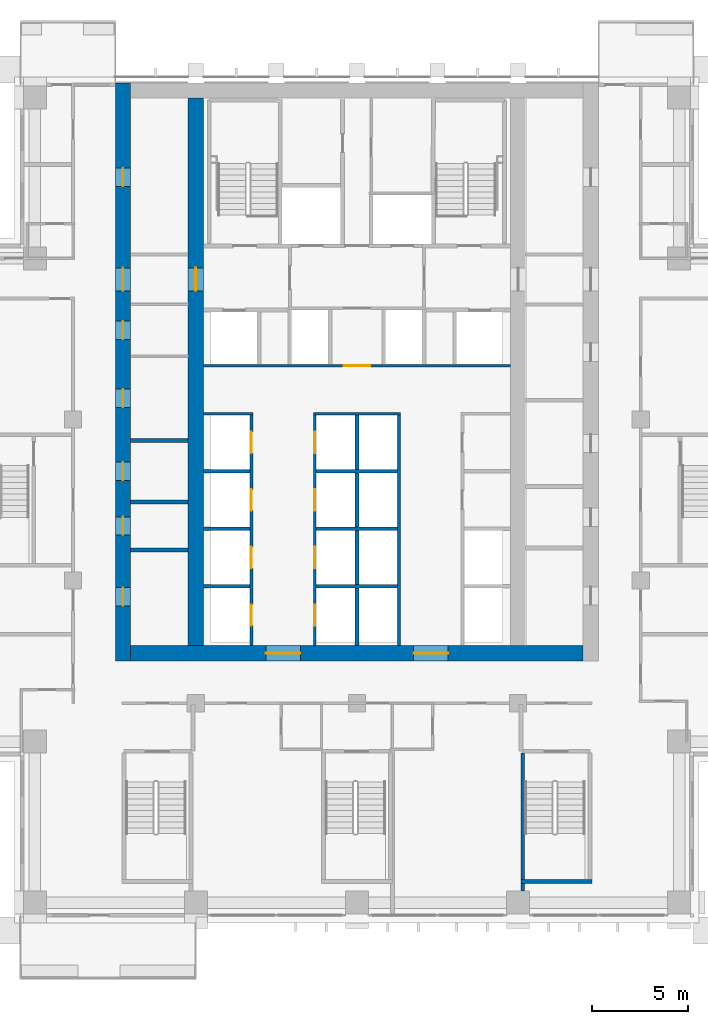
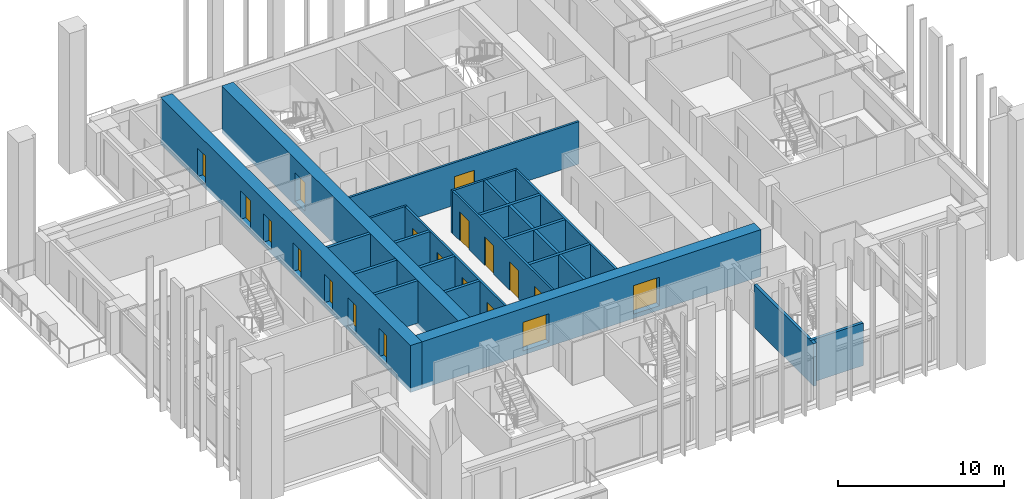
# One storey, part 8 of 18: 21 walls, 19 doors, 19 openings.
"""IFC4 building model written with IfcOpenShell, lengths in metres."""

import ifcopenshell
import ifcopenshell.guid

model = None  # the IFC model being written
_history = None  # IfcOwnerHistory: only IFC2X3 demands one
_inside = {}  # id of a spatial element -> (the spatial element, [elements in it])
_under = {}  # id of a project, library or spatial element -> (it, [spatial elements below it])
_declared = {}  # id of a project -> (the project, [libraries it declares])
_typed = {}  # id of a type object -> (the type object, [elements of that type])
_made_of = {}  # id of a material, layer set ... -> (it, [elements and type objects made of it])


def new_model(schema):
    """Start an empty IFC model of exactly this schema.

    Asked for "IFC4X3", IfcOpenShell would pick the latest addendum, in which some entities
    have other attributes; the version numbers below select the first issue.
    IFC2X3 requires an IfcOwnerHistory on every rooted entity: one is made here for all.
    """
    global model, _history
    if schema == "IFC4X3":
        model = ifcopenshell.file(schema_version=(4, 3, 0, 0))
    else:
        model = ifcopenshell.file(schema=schema)
    _inside.clear()
    _under.clear()
    _declared.clear()
    _typed.clear()
    _made_of.clear()
    _history = None
    if model.schema == "IFC2X3":
        org = make("IfcOrganization", Name="unknown")
        user = make(
            "IfcPersonAndOrganization",
            ThePerson=make("IfcPerson", FamilyName="unknown"),
            TheOrganization=org,
        )
        app = make(
            "IfcApplication",
            ApplicationDeveloper=org,
            Version="unknown",
            ApplicationFullName="unknown",
            ApplicationIdentifier="unknown",
        )
        _history = make(
            "IfcOwnerHistory",
            OwningUser=user,
            OwningApplication=app,
            ChangeAction="ADDED",
            CreationDate=0,
        )
    return model


def make(cls, **values):
    """One entity of the class cls with the attributes given. An attribute that is None is left unset."""
    return model.create_entity(
        cls, **{name: value for name, value in values.items() if value is not None}
    )


def rooted(cls, **values):
    """An entity with a GlobalId (a new one), such as an element, a storey or a relation."""
    return make(cls, GlobalId=ifcopenshell.guid.new(), OwnerHistory=_history, **values)


def si_unit(unit_type, name, prefix=None):
    """IfcSIUnit, for example si_unit("LENGTHUNIT", "METRE", prefix="MILLI")."""
    return make("IfcSIUnit", UnitType=unit_type, Prefix=prefix, Name=name)


def assignment(units):
    """IfcUnitAssignment: the units of a project."""
    return None if units is None else make("IfcUnitAssignment", Units=units)


def point(xyz):
    """IfcCartesianPoint."""
    return None if xyz is None else make("IfcCartesianPoint", Coordinates=xyz)


def direction(xyz):
    """IfcDirection."""
    return None if xyz is None else make("IfcDirection", DirectionRatios=xyz)


def frame(location, z_axis=None, x_axis=None):
    """IfcAxis2Placement3D, a coordinate frame: its origin and axes. An axis left out is left unset."""
    return make(
        "IfcAxis2Placement3D",
        Location=point(location),
        Axis=direction(z_axis),
        RefDirection=direction(x_axis),
    )


def frame_2d(location, x_axis=None):
    """IfcAxis2Placement2D, a coordinate frame in the plane: its origin and x axis."""
    return make(
        "IfcAxis2Placement2D", Location=point(location), RefDirection=direction(x_axis)
    )


def origin():
    """The frame at (0, 0, 0) with its axes left unset."""
    return frame((0.0, 0.0, 0.0))


def place(relative_to, where):
    """IfcLocalPlacement: puts the frame where relative to a parent placement (None: the world)."""
    return make(
        "IfcLocalPlacement", PlacementRelTo=relative_to, RelativePlacement=where
    )


def context(
    kind, dimensions, precision=None, world=None, true_north=None, identifier=None
):
    """IfcGeometricRepresentationContext, for example the 3D "Model" context."""
    return make(
        "IfcGeometricRepresentationContext",
        ContextIdentifier=identifier,
        ContextType=kind,
        CoordinateSpaceDimension=dimensions,
        Precision=precision,
        WorldCoordinateSystem=world,
        TrueNorth=true_north,
    )


def subcontext(parent, identifier, kind, view, scale=None):
    """IfcGeometricRepresentationSubContext, for example "Body" below "Model"."""
    return make(
        "IfcGeometricRepresentationSubContext",
        ContextIdentifier=identifier,
        ContextType=kind,
        ParentContext=parent,
        TargetScale=scale,
        TargetView=view,
    )


def project(units=None, contexts=None):
    """IfcProject with its units and contexts."""
    return rooted(
        "IfcProject",
        Name="project",
        RepresentationContexts=contexts,
        UnitsInContext=assignment(units),
    )


def spatial(cls, under=None, at=None, **own):
    """A site, building, storey or space (cls), placed at a placement, below another one or the project."""
    s = rooted(cls, ObjectPlacement=at, **own)
    if under is not None:
        _under.setdefault(under.id(), (under, []))[1].append(s)
    return s


def profile(cls, at=None, kind="AREA", **sizes):
    """A parametric profile (cls). Its sizes go by their IFC names, for example OverallWidth=200.0."""
    return make(cls, ProfileType=kind, Position=at, **sizes)


def rectangle(**sizes):
    """IfcRectangleProfileDef."""
    return profile("IfcRectangleProfileDef", **sizes)


def extrude(swept, where, along, depth):
    """IfcExtrudedAreaSolid: the profile swept, set in the frame where, extruded along a direction by depth."""
    return make(
        "IfcExtrudedAreaSolid",
        SweptArea=swept,
        Position=where,
        ExtrudedDirection=direction(along),
        Depth=depth,
    )


def shape(context_of_items, identifier, shape_type, items):
    """IfcShapeRepresentation: the items that make up one representation, for example the "Body"."""
    return make(
        "IfcShapeRepresentation",
        ContextOfItems=context_of_items,
        RepresentationIdentifier=identifier,
        RepresentationType=shape_type,
        Items=items,
    )


def material(Name=None, Category=None):
    """IfcMaterial."""
    return make("IfcMaterial", Name=Name, Category=Category)


def layer(
    of_material, thickness, ventilated=None, Name=None, Category=None, Priority=None
):
    """IfcMaterialLayer: one layer of a wall or slab, of a material (None: an air gap)."""
    return make(
        "IfcMaterialLayer",
        Material=of_material,
        LayerThickness=thickness,
        IsVentilated=ventilated,
        Name=Name,
        Category=Category,
        Priority=Priority,
    )


def layer_set(layers, Name=None):
    """IfcMaterialLayerSet."""
    return make("IfcMaterialLayerSet", MaterialLayers=layers, LayerSetName=Name)


def made_of(thing, what):
    """Note that an element or type object is made of a material, layer set ...; save() writes the relation."""
    if what is not None:
        _made_of.setdefault(what.id(), (what, []))[1].append(thing)
    return thing


def type_object(cls, material=None, **own):
    """A type object (cls), such as IfcWallType, which elements share."""
    return made_of(rooted(cls, **own), material)


def element(
    cls,
    number,
    at=None,
    inside=None,
    cuts=None,
    type_object=None,
    material=None,
    context=None,
    identifier="Body",
    shape_type=None,
    held_by="IfcProductDefinitionShape",
    body=None,
    shapes=None,
    **own,
):
    """One element of the class cls, such as IfcWall. Its Tag is "e" and its number.

    at: its placement. inside: the storey or other place that contains it. cuts: it is an
    opening in that element (IfcRelVoidsElement). A single representation is given by context,
    identifier, shape_type and body (its items); several are given by shapes. held_by: the class
    of the entity that holds the representations. save() writes the other relations.
    """
    e = rooted(cls, Tag="e%d" % number, ObjectPlacement=at, **own)
    if body is not None:
        shapes = [shape(context, identifier, shape_type, body)]
    if shapes is not None:
        e.Representation = make(held_by, Representations=shapes)
    if inside is not None:
        _inside.setdefault(inside.id(), (inside, []))[1].append(e)
    if cuts is not None:
        rooted(
            "IfcRelVoidsElement", RelatingBuildingElement=cuts, RelatedOpeningElement=e
        )
    if type_object is not None:
        _typed.setdefault(type_object.id(), (type_object, []))[1].append(e)
    return made_of(e, material)


def fill(opening, filler):
    """IfcRelFillsElement: the door or window that sits in an opening."""
    return rooted(
        "IfcRelFillsElement",
        RelatingOpeningElement=opening,
        RelatedBuildingElement=filler,
    )


def aggregate(whole, parts):
    """IfcRelAggregates: a whole, such as a stair, and the parts it consists of."""
    return rooted("IfcRelAggregates", RelatingObject=whole, RelatedObjects=parts)


def save(model, path):
    """Write the relations noted so far, then the file.

    IfcRelAggregates (storeys below a building ...), IfcRelContainedInSpatialStructure (elements
    in a storey), IfcRelDefinesByType, IfcRelAssociatesMaterial and IfcRelDeclares: one each for
    every whole, place, type object, material and project.
    """
    for whole, parts in _under.values():
        aggregate(whole, parts)
    for where, things in _inside.values():
        rooted(
            "IfcRelContainedInSpatialStructure",
            RelatedElements=things,
            RelatingStructure=where,
        )
    for kind, things in _typed.values():
        rooted("IfcRelDefinesByType", RelatedObjects=things, RelatingType=kind)
    for what, things in _made_of.values():
        rooted("IfcRelAssociatesMaterial", RelatedObjects=things, RelatingMaterial=what)
    for by, libraries in _declared.values():
        rooted("IfcRelDeclares", RelatingContext=by, RelatedDefinitions=libraries)
    model.write(path)


model = new_model("IFC4")

# Units and contexts
model_context = context("Model", 3, precision=1e-05, world=origin(), true_north=direction((0.0, 1.0)))
body_context = subcontext(model_context, "Body", "Model", "MODEL_VIEW")
ifc_project = project(units=[si_unit("LENGTHUNIT", "METRE"), si_unit("AREAUNIT", "SQUARE_METRE"), si_unit("VOLUMEUNIT", "CUBIC_METRE"), si_unit("PLANEANGLEUNIT", "RADIAN"), si_unit("MASSUNIT", "GRAM", prefix="KILO")], contexts=[model_context])

# Site, building, storey
site_placement = place(None, origin())
site = spatial("IfcSite", under=ifc_project, at=site_placement, CompositionType="ELEMENT")
building_placement = place(site_placement, origin())
building = spatial("IfcBuilding", under=site, at=building_placement, Name="Vermilion Ogive Tower", CompositionType="ELEMENT")
storey_placement = place(building_placement, frame((0.0, 0.0, 80.39990234375)))
storey = spatial("IfcBuildingStorey", under=building, at=storey_placement, Name="L19", CompositionType="ELEMENT", Elevation=80.39990234375)

# Wall, openings, doors
ifc_material_1 = material(Name="Concrete B80", Category="concrete")
ifc_layer_1 = layer(ifc_material_1, 0.800048828125)
ifc_layer_set_1 = layer_set([ifc_layer_1], Name="Core wall 800 B80")
wall_type_1 = type_object("IfcWallType", Name="Core wall 800 B80", PredefinedType="SHEAR", material=ifc_layer_set_1)
wall_1_placement = place(storey_placement, frame((-12.199951171875, -8.39990234375, -0.31982421875), z_axis=(0.0, 0.0, 1.0), x_axis=(0.0, 1.0, 0.0)))
wall_1 = element("IfcWall", 1, at=wall_1_placement, inside=storey, type_object=wall_type_1, Name="L19-CORE-W", PredefinedType="SHEAR", context=body_context, shape_type="SweptSolid", body=[
    extrude(rectangle(XDim=30.14990234375, YDim=0.800048828125, at=frame_2d((15.074951171875, 0.0))), origin(), (0.0, 0.0, 1.0), 3.449951171875),
])
opening_1_placement = place(wall_1_placement, frame((2.875, 0.0, 0.320068359375)))
opening_1 = element("IfcOpeningElement", 2, at=opening_1_placement, cuts=wall_1, Name="Opening DAD034", PredefinedType="OPENING", context=body_context, shape_type="SweptSolid", body=[
    extrude(rectangle(XDim=0.949951171875, YDim=2.10009765625, at=frame_2d((0.47509765625, 1.050048828125))), frame((0.0, 0.409912109375, 0.0), z_axis=(0.0, -1.0, 0.0), x_axis=(1.0, 0.0, 0.0)), (0.0, 0.0, 1.0), 0.820068359375),
])
opening_2_placement = place(wall_1_placement, frame((6.574951171875, 0.0, 0.320068359375)))
opening_2 = element("IfcOpeningElement", 3, at=opening_2_placement, cuts=wall_1, Name="Opening DAD035", PredefinedType="OPENING", context=body_context, shape_type="SweptSolid", body=[
    extrude(rectangle(XDim=0.949951171875, YDim=2.10009765625, at=frame_2d((0.47509765625, 1.050048828125))), frame((0.0, 0.409912109375, 0.0), z_axis=(0.0, -1.0, 0.0), x_axis=(1.0, 0.0, 0.0)), (0.0, 0.0, 1.0), 0.820068359375),
])
opening_3_placement = place(wall_1_placement, frame((9.425048828125, 0.0, 0.320068359375)))
opening_3 = element("IfcOpeningElement", 4, at=opening_3_placement, cuts=wall_1, Name="Opening DAD036", PredefinedType="OPENING", context=body_context, shape_type="SweptSolid", body=[
    extrude(rectangle(XDim=0.949951171875, YDim=2.10009765625, at=frame_2d((0.47509765625, 1.050048828125))), frame((0.0, 0.409912109375, 0.0), z_axis=(0.0, -1.0, 0.0), x_axis=(1.0, 0.0, 0.0)), (0.0, 0.0, 1.0), 0.820068359375),
])
opening_4_placement = place(wall_1_placement, frame((13.22509765625, 0.0, 0.320068359375)))
opening_4 = element("IfcOpeningElement", 5, at=opening_4_placement, cuts=wall_1, Name="Opening DAD037", PredefinedType="OPENING", context=body_context, shape_type="SweptSolid", body=[
    extrude(rectangle(XDim=0.949951171875, YDim=2.10009765625, at=frame_2d((0.47509765625, 1.050048828125))), frame((0.0, 0.409912109375, 0.0), z_axis=(0.0, -1.0, 0.0), x_axis=(1.0, 0.0, 0.0)), (0.0, 0.0, 1.0), 0.820068359375),
])
opening_5_placement = place(wall_1_placement, frame((16.77490234375, 0.0, 0.320068359375)))
opening_5 = element("IfcOpeningElement", 6, at=opening_5_placement, cuts=wall_1, Name="Opening DAD038", PredefinedType="OPENING", context=body_context, shape_type="SweptSolid", body=[
    extrude(rectangle(XDim=0.949951171875, YDim=2.10009765625, at=frame_2d((0.47509765625, 1.050048828125))), frame((0.0, 0.409912109375, 0.0), z_axis=(0.0, -1.0, 0.0), x_axis=(1.0, 0.0, 0.0)), (0.0, 0.0, 1.0), 0.820068359375),
])
opening_6_placement = place(wall_1_placement, frame((24.75, 0.0, 0.320068359375)))
opening_6 = element("IfcOpeningElement", 7, at=opening_6_placement, cuts=wall_1, Name="Opening DAD039", PredefinedType="OPENING", context=body_context, shape_type="SweptSolid", body=[
    extrude(rectangle(XDim=0.949951171875, YDim=2.10009765625, at=frame_2d((0.47509765625, 1.050048828125))), frame((0.0, 0.409912109375, 0.0), z_axis=(0.0, -1.0, 0.0), x_axis=(1.0, 0.0, 0.0)), (0.0, 0.0, 1.0), 0.820068359375),
])
opening_7_placement = place(wall_1_placement, frame((19.300048828125, 0.0, 0.320068359375)))
opening_7 = element("IfcOpeningElement", 8, at=opening_7_placement, cuts=wall_1, Name="Opening DAM007", PredefinedType="OPENING", context=body_context, shape_type="SweptSolid", body=[
    extrude(rectangle(XDim=1.199951171875, YDim=2.10009765625, at=frame_2d((0.60009765625, 1.050048828125))), frame((0.0, 0.409912109375, 0.0), z_axis=(0.0, -1.0, 0.0), x_axis=(1.0, 0.0, 0.0)), (0.0, 0.0, 1.0), 0.820068359375),
])
ifc_material_2 = material(Name="Timber door leaf", Category="wood")
door_type_1 = type_object("IfcDoorType", Name="Link door 1200 x 2100 FD60S", OperationType="SINGLE_SWING_LEFT", PredefinedType="DOOR", material=ifc_material_2)
door_1_placement = place(opening_7_placement, origin())
door_1 = element("IfcDoor", 9, at=door_1_placement, inside=storey, type_object=door_type_1, Name="L19-CKW-XL", OperationType="SINGLE_SWING_LEFT", OverallHeight=2.10009765625, OverallWidth=1.199951171875, PredefinedType="DOOR", context=body_context, shape_type="SweptSolid", body=[
    extrude(rectangle(XDim=1.199951171875, YDim=2.10009765625, at=frame_2d((0.60009765625, 1.050048828125))), frame((0.0, 0.02490234375, 0.0), z_axis=(0.0, -1.0, 0.0), x_axis=(1.0, 0.0, 0.0)), (0.0, 0.0, 1.0), 0.050048828125),
])
fill(opening_7, door_1)
ifc_material_3 = material(Name="Timber door leaf", Category="wood")
door_type_2 = type_object("IfcDoorType", Name="Service door 950 x 2100 FD60", OperationType="SINGLE_SWING_LEFT", PredefinedType="DOOR", material=ifc_material_3)
door_2_placement = place(opening_1_placement, origin())
door_2 = element("IfcDoor", 10, at=door_2_placement, inside=storey, type_object=door_type_2, Name="L19-CKW-XR0", OperationType="SINGLE_SWING_LEFT", OverallHeight=2.10009765625, OverallWidth=0.949951171875, PredefinedType="DOOR", context=body_context, shape_type="SweptSolid", body=[
    extrude(rectangle(XDim=0.949951171875, YDim=2.10009765625, at=frame_2d((0.47509765625, 1.050048828125))), frame((0.0, 0.02490234375, 0.0), z_axis=(0.0, -1.0, 0.0), x_axis=(1.0, 0.0, 0.0)), (0.0, 0.0, 1.0), 0.050048828125),
])
fill(opening_1, door_2)
door_3_placement = place(opening_2_placement, origin())
door_3 = element("IfcDoor", 11, at=door_3_placement, inside=storey, type_object=door_type_2, Name="L19-CKW-XR1", OperationType="SINGLE_SWING_LEFT", OverallHeight=2.10009765625, OverallWidth=0.949951171875, PredefinedType="DOOR", context=body_context, shape_type="SweptSolid", body=[
    extrude(rectangle(XDim=0.949951171875, YDim=2.10009765625, at=frame_2d((0.47509765625, 1.050048828125))), frame((0.0, 0.02490234375, 0.0), z_axis=(0.0, -1.0, 0.0), x_axis=(1.0, 0.0, 0.0)), (0.0, 0.0, 1.0), 0.050048828125),
])
fill(opening_2, door_3)
door_4_placement = place(opening_3_placement, origin())
door_4 = element("IfcDoor", 12, at=door_4_placement, inside=storey, type_object=door_type_2, Name="L19-CKW-XR2", OperationType="SINGLE_SWING_LEFT", OverallHeight=2.10009765625, OverallWidth=0.949951171875, PredefinedType="DOOR", context=body_context, shape_type="SweptSolid", body=[
    extrude(rectangle(XDim=0.949951171875, YDim=2.10009765625, at=frame_2d((0.47509765625, 1.050048828125))), frame((0.0, 0.02490234375, 0.0), z_axis=(0.0, -1.0, 0.0), x_axis=(1.0, 0.0, 0.0)), (0.0, 0.0, 1.0), 0.050048828125),
])
fill(opening_3, door_4)
door_5_placement = place(opening_4_placement, origin())
door_5 = element("IfcDoor", 13, at=door_5_placement, inside=storey, type_object=door_type_2, Name="L19-CKW-XR3", OperationType="SINGLE_SWING_LEFT", OverallHeight=2.10009765625, OverallWidth=0.949951171875, PredefinedType="DOOR", context=body_context, shape_type="SweptSolid", body=[
    extrude(rectangle(XDim=0.949951171875, YDim=2.10009765625, at=frame_2d((0.47509765625, 1.050048828125))), frame((0.0, 0.02490234375, 0.0), z_axis=(0.0, -1.0, 0.0), x_axis=(1.0, 0.0, 0.0)), (0.0, 0.0, 1.0), 0.050048828125),
])
fill(opening_4, door_5)
door_6_placement = place(opening_5_placement, origin())
door_6 = element("IfcDoor", 14, at=door_6_placement, inside=storey, type_object=door_type_2, Name="L19-CKW-XR4", OperationType="SINGLE_SWING_LEFT", OverallHeight=2.10009765625, OverallWidth=0.949951171875, PredefinedType="DOOR", context=body_context, shape_type="SweptSolid", body=[
    extrude(rectangle(XDim=0.949951171875, YDim=2.10009765625, at=frame_2d((0.47509765625, 1.050048828125))), frame((0.0, 0.02490234375, 0.0), z_axis=(0.0, -1.0, 0.0), x_axis=(1.0, 0.0, 0.0)), (0.0, 0.0, 1.0), 0.050048828125),
])
fill(opening_5, door_6)
door_7_placement = place(opening_6_placement, origin())
door_7 = element("IfcDoor", 15, at=door_7_placement, inside=storey, type_object=door_type_2, Name="L19-CKW-XR5", OperationType="SINGLE_SWING_LEFT", OverallHeight=2.10009765625, OverallWidth=0.949951171875, PredefinedType="DOOR", context=body_context, shape_type="SweptSolid", body=[
    extrude(rectangle(XDim=0.949951171875, YDim=2.10009765625, at=frame_2d((0.47509765625, 1.050048828125))), frame((0.0, 0.02490234375, 0.0), z_axis=(0.0, -1.0, 0.0), x_axis=(1.0, 0.0, 0.0)), (0.0, 0.0, 1.0), 0.050048828125),
])
fill(opening_6, door_7)

wall_2_placement = place(storey_placement, frame((-11.800048828125, -8.0, -0.31982421875), z_axis=(0.0, 0.0, 1.0), x_axis=(1.0, 0.0, 0.0)))
wall_2 = element("IfcWall", 16, at=wall_2_placement, inside=storey, type_object=wall_type_1, Name="L19-CORE-S", PredefinedType="SHEAR", context=body_context, shape_type="SweptSolid", body=[
    extrude(rectangle(XDim=23.60009765625, YDim=0.800048828125, at=frame_2d((11.800048828125, 0.0))), origin(), (0.0, 0.0, 1.0), 3.449951171875),
])
opening_8_placement = place(wall_2_placement, frame((7.050048828125, 0.0, 0.320068359375)))
opening_8 = element("IfcOpeningElement", 17, at=opening_8_placement, cuts=wall_2, Name="Opening DAH013", PredefinedType="OPENING", context=body_context, shape_type="SweptSolid", body=[
    extrude(rectangle(XDim=1.800048828125, YDim=2.10009765625, at=frame_2d((0.89990234375, 1.050048828125))), frame((0.0, 0.409912109375, 0.0), z_axis=(0.0, -1.0, 0.0), x_axis=(1.0, 0.0, 0.0)), (0.0, 0.0, 1.0), 0.820068359375),
])
opening_9_placement = place(wall_2_placement, frame((14.75, 0.0, 0.320068359375)))
opening_9 = element("IfcOpeningElement", 18, at=opening_9_placement, cuts=wall_2, Name="Opening DAH014", PredefinedType="OPENING", context=body_context, shape_type="SweptSolid", body=[
    extrude(rectangle(XDim=1.800048828125, YDim=2.10009765625, at=frame_2d((0.89990234375, 1.050048828125))), frame((0.0, 0.409912109375, 0.0), z_axis=(0.0, -1.0, 0.0), x_axis=(1.0, 0.0, 0.0)), (0.0, 0.0, 1.0), 0.820068359375),
])
ifc_material_4 = material(Name="Timber door leaf", Category="wood")
door_type_3 = type_object("IfcDoorType", Name="Core entry door 1800 x 2100 FD60S", OperationType="DOUBLE_DOOR_SINGLE_SWING", PredefinedType="DOOR", material=ifc_material_4)
door_8_placement = place(opening_8_placement, origin())
door_8 = element("IfcDoor", 19, at=door_8_placement, inside=storey, type_object=door_type_3, Name="L19-CK-XD1", OperationType="SINGLE_SWING_LEFT", OverallHeight=2.10009765625, OverallWidth=1.800048828125, PredefinedType="DOOR", context=body_context, shape_type="SweptSolid", body=[
    extrude(rectangle(XDim=1.800048828125, YDim=2.10009765625, at=frame_2d((0.89990234375, 1.050048828125))), frame((0.0, 0.02490234375, 0.0), z_axis=(0.0, -1.0, 0.0), x_axis=(1.0, 0.0, 0.0)), (0.0, 0.0, 1.0), 0.050048828125),
])
fill(opening_8, door_8)
door_9_placement = place(opening_9_placement, origin())
door_9 = element("IfcDoor", 20, at=door_9_placement, inside=storey, type_object=door_type_3, Name="L19-CK-XD2", OperationType="SINGLE_SWING_LEFT", OverallHeight=2.10009765625, OverallWidth=1.800048828125, PredefinedType="DOOR", context=body_context, shape_type="SweptSolid", body=[
    extrude(rectangle(XDim=1.800048828125, YDim=2.10009765625, at=frame_2d((0.89990234375, 1.050048828125))), frame((0.0, 0.02490234375, 0.0), z_axis=(0.0, -1.0, 0.0), x_axis=(1.0, 0.0, 0.0)), (0.0, 0.0, 1.0), 0.050048828125),
])
fill(opening_9, door_9)

# Wall, opening, door
wall_3_placement = place(storey_placement, frame((-8.39990234375, -7.60009765625, -0.31982421875), z_axis=(0.0, 0.0, 1.0), x_axis=(0.0, 1.0, 0.0)))
wall_3 = element("IfcWall", 21, at=wall_3_placement, inside=storey, type_object=wall_type_1, Name="L19-CORE-WEB1", PredefinedType="SHEAR", context=body_context, shape_type="SweptSolid", body=[
    extrude(rectangle(XDim=28.550048828125, YDim=0.800048828125, at=frame_2d((14.27490234375, 0.0))), origin(), (0.0, 0.0, 1.0), 3.449951171875),
])
opening_10_placement = place(wall_3_placement, frame((18.5, 0.0, 0.320068359375)))
opening_10 = element("IfcOpeningElement", 22, at=opening_10_placement, cuts=wall_3, Name="Opening DAP007", PredefinedType="OPENING", context=body_context, shape_type="SweptSolid", body=[
    extrude(rectangle(XDim=1.199951171875, YDim=2.10009765625, at=frame_2d((0.60009765625, 1.050048828125))), frame((0.0, 0.409912109375, 0.0), z_axis=(0.0, -1.0, 0.0), x_axis=(1.0, 0.0, 0.0)), (0.0, 0.0, 1.0), 0.820068359375),
])
door_10_placement = place(opening_10_placement, origin())
door_10 = element("IfcDoor", 23, at=door_10_placement, inside=storey, type_object=door_type_1, Name="L19-CKW-XW", OperationType="SINGLE_SWING_LEFT", OverallHeight=2.10009765625, OverallWidth=1.199951171875, PredefinedType="DOOR", context=body_context, shape_type="SweptSolid", body=[
    extrude(rectangle(XDim=1.199951171875, YDim=2.10009765625, at=frame_2d((0.60009765625, 1.050048828125))), frame((0.0, 0.02490234375, 0.0), z_axis=(0.0, -1.0, 0.0), x_axis=(1.0, 0.0, 0.0)), (0.0, 0.0, 1.0), 0.050048828125),
])
fill(opening_10, door_10)

# Walls
ifc_material_5 = material(Name="Gypsum board partition on steel studs", Category="steel")
ifc_layer_2 = layer(ifc_material_5, 0.14990234375)
ifc_layer_set_2 = layer_set([ifc_layer_2], Name="Partition 150 corridor")
wall_type_2 = type_object("IfcWallType", Name="Partition 150 corridor", PredefinedType="PARTITIONING", material=ifc_layer_set_2)
wall_4_placement = place(storey_placement, frame((-7.9990234375, 4.5, 0.0), z_axis=(0.0, 0.0, 1.0), x_axis=(1.0, 0.0, 0.0)))
element("IfcWall", 24, at=wall_4_placement, inside=storey, type_object=wall_type_2, Name="L19-CK-W-W010", PredefinedType="PARTITIONING", context=body_context, shape_type="SweptSolid", body=[
    extrude(rectangle(XDim=2.573974609375, YDim=0.14990234375, at=frame_2d((1.287109375, 0.0))), origin(), (0.0, 0.0, 1.0), 3.130126953125),
])
wall_5_placement = place(storey_placement, frame((-2.27490234375, 4.5, 0.0), z_axis=(0.0, 0.0, 1.0), x_axis=(1.0, 0.0, 0.0)))
element("IfcWall", 25, at=wall_5_placement, inside=storey, type_object=wall_type_2, Name="L19-CK-W-W011", PredefinedType="PARTITIONING", context=body_context, shape_type="SweptSolid", body=[
    extrude(rectangle(XDim=4.5498046875, YDim=0.14990234375, at=frame_2d((2.27490234375, 0.0))), origin(), (0.0, 0.0, 1.0), 3.130126953125),
])

# Wall, opening, door
wall_6_placement = place(storey_placement, frame((-7.9990234375, 7.0, 0.0), z_axis=(0.0, 0.0, 1.0), x_axis=(1.0, 0.0, 0.0)))
wall_6 = element("IfcWall", 26, at=wall_6_placement, inside=storey, type_object=wall_type_2, Name="L19-CK-W-W013", PredefinedType="PARTITIONING", context=body_context, shape_type="SweptSolid", body=[
    extrude(rectangle(XDim=15.998046875, YDim=0.14990234375, at=frame_2d((7.9990234375, 0.0))), origin(), (0.0, 0.0, 1.0), 3.130126953125),
])
opening_11_placement = place(wall_6_placement, frame((7.299072265625, 0.0, 0.0)))
opening_11 = element("IfcOpeningElement", 27, at=opening_11_placement, cuts=wall_6, Name="Opening DAA140", PredefinedType="OPENING", context=body_context, shape_type="SweptSolid", body=[
    extrude(rectangle(XDim=1.39990234375, YDim=2.10009765625, at=frame_2d((0.699951171875, 1.050048828125))), frame((0.0, 0.0849609375, 0.0), z_axis=(0.0, -1.0, 0.0), x_axis=(1.0, 0.0, 0.0)), (0.0, 0.0, 1.0), 0.169921875),
])
ifc_material_6 = material(Name="Timber door leaf", Category="wood")
door_type_4 = type_object("IfcDoorType", Name="Lobby door 1400 x 2100 FD60S", OperationType="SINGLE_SWING_LEFT", PredefinedType="DOOR", material=ifc_material_6)
door_11_placement = place(opening_11_placement, origin())
door_11 = element("IfcDoor", 28, at=door_11_placement, inside=storey, type_object=door_type_4, Name="L19-CK-D-D015", OperationType="SINGLE_SWING_RIGHT", OverallHeight=2.10009765625, OverallWidth=1.39990234375, PredefinedType="DOOR", context=body_context, shape_type="SweptSolid", body=[
    extrude(rectangle(XDim=1.39990234375, YDim=2.10009765625, at=frame_2d((0.699951171875, 1.050048828125))), frame((0.0, 0.02490234375, 0.0), z_axis=(0.0, -1.0, 0.0), x_axis=(1.0, 0.0, 0.0)), (0.0, 0.0, 1.0), 0.050048828125),
])
fill(opening_11, door_11)

# Wall, openings, doors
wall_7_placement = place(storey_placement, frame((-5.5, -7.59912109375, 0.0), z_axis=(0.0, 0.0, 1.0), x_axis=(0.0, 1.0, 0.0)))
wall_7 = element("IfcWall", 29, at=wall_7_placement, inside=storey, type_object=wall_type_2, Name="L19-CK-W-W022", PredefinedType="PARTITIONING", context=body_context, shape_type="SweptSolid", body=[
    extrude(rectangle(XDim=12.024169921875, YDim=0.14990234375, at=frame_2d((6.01220703125, 0.0))), origin(), (0.0, 0.0, 1.0), 3.130126953125),
])
opening_12_placement = place(wall_7_placement, frame((1.049072265625, 0.0, 0.0)))
opening_12 = element("IfcOpeningElement", 30, at=opening_12_placement, cuts=wall_7, Name="Opening DAA149", PredefinedType="OPENING", context=body_context, shape_type="SweptSolid", body=[
    extrude(rectangle(XDim=1.10009765625, YDim=2.10009765625, at=frame_2d((0.550048828125, 1.050048828125))), frame((0.0, 0.0849609375, 0.0), z_axis=(0.0, -1.0, 0.0), x_axis=(1.0, 0.0, 0.0)), (0.0, 0.0, 1.0), 0.169921875),
])
opening_13_placement = place(wall_7_placement, frame((4.049072265625, 0.0, 0.0)))
opening_13 = element("IfcOpeningElement", 31, at=opening_13_placement, cuts=wall_7, Name="Opening DAA152", PredefinedType="OPENING", context=body_context, shape_type="SweptSolid", body=[
    extrude(rectangle(XDim=1.10009765625, YDim=2.10009765625, at=frame_2d((0.550048828125, 1.050048828125))), frame((0.0, 0.0849609375, 0.0), z_axis=(0.0, -1.0, 0.0), x_axis=(1.0, 0.0, 0.0)), (0.0, 0.0, 1.0), 0.169921875),
])
opening_14_placement = place(wall_7_placement, frame((7.049072265625, 0.0, 0.0)))
opening_14 = element("IfcOpeningElement", 32, at=opening_14_placement, cuts=wall_7, Name="Opening DAA153", PredefinedType="OPENING", context=body_context, shape_type="SweptSolid", body=[
    extrude(rectangle(XDim=1.10009765625, YDim=2.10009765625, at=frame_2d((0.550048828125, 1.050048828125))), frame((0.0, 0.0849609375, 0.0), z_axis=(0.0, -1.0, 0.0), x_axis=(1.0, 0.0, 0.0)), (0.0, 0.0, 1.0), 0.169921875),
])
opening_15_placement = place(wall_7_placement, frame((10.049072265625, 0.0, 0.0)))
opening_15 = element("IfcOpeningElement", 33, at=opening_15_placement, cuts=wall_7, Name="Opening DAA154", PredefinedType="OPENING", context=body_context, shape_type="SweptSolid", body=[
    extrude(rectangle(XDim=1.10009765625, YDim=2.10009765625, at=frame_2d((0.550048828125, 1.050048828125))), frame((0.0, 0.0849609375, 0.0), z_axis=(0.0, -1.0, 0.0), x_axis=(1.0, 0.0, 0.0)), (0.0, 0.0, 1.0), 0.169921875),
])
ifc_material_7 = material(Name="Stainless steel", Category="steel")
door_type_5 = type_object("IfcDoorType", Name="Lift landing door 1100 x 2100", OperationType="SLIDING_TO_LEFT", PredefinedType="DOOR", material=ifc_material_7)
door_12_placement = place(opening_12_placement, origin())
door_12 = element("IfcDoor", 34, at=door_12_placement, inside=storey, type_object=door_type_5, Name="L19-CK-D-D001", OperationType="SLIDING_TO_LEFT", OverallHeight=2.10009765625, OverallWidth=1.10009765625, PredefinedType="DOOR", context=body_context, shape_type="SweptSolid", body=[
    extrude(rectangle(XDim=1.10009765625, YDim=2.10009765625, at=frame_2d((0.550048828125, 1.050048828125))), frame((0.0, 0.02490234375, 0.0), z_axis=(0.0, -1.0, 0.0), x_axis=(1.0, 0.0, 0.0)), (0.0, 0.0, 1.0), 0.050048828125),
])
fill(opening_12, door_12)
door_13_placement = place(opening_13_placement, origin())
door_13 = element("IfcDoor", 35, at=door_13_placement, inside=storey, type_object=door_type_5, Name="L19-CK-D-D002", OperationType="SLIDING_TO_LEFT", OverallHeight=2.10009765625, OverallWidth=1.10009765625, PredefinedType="DOOR", context=body_context, shape_type="SweptSolid", body=[
    extrude(rectangle(XDim=1.10009765625, YDim=2.10009765625, at=frame_2d((0.550048828125, 1.050048828125))), frame((0.0, 0.02490234375, 0.0), z_axis=(0.0, -1.0, 0.0), x_axis=(1.0, 0.0, 0.0)), (0.0, 0.0, 1.0), 0.050048828125),
])
fill(opening_13, door_13)
door_14_placement = place(opening_14_placement, origin())
door_14 = element("IfcDoor", 36, at=door_14_placement, inside=storey, type_object=door_type_5, Name="L19-CK-D-D003", OperationType="SLIDING_TO_LEFT", OverallHeight=2.10009765625, OverallWidth=1.10009765625, PredefinedType="DOOR", context=body_context, shape_type="SweptSolid", body=[
    extrude(rectangle(XDim=1.10009765625, YDim=2.10009765625, at=frame_2d((0.550048828125, 1.050048828125))), frame((0.0, 0.02490234375, 0.0), z_axis=(0.0, -1.0, 0.0), x_axis=(1.0, 0.0, 0.0)), (0.0, 0.0, 1.0), 0.050048828125),
])
fill(opening_14, door_14)
door_15_placement = place(opening_15_placement, origin())
door_15 = element("IfcDoor", 37, at=door_15_placement, inside=storey, type_object=door_type_5, Name="L19-CK-D-D004", OperationType="SLIDING_TO_LEFT", OverallHeight=2.10009765625, OverallWidth=1.10009765625, PredefinedType="DOOR", context=body_context, shape_type="SweptSolid", body=[
    extrude(rectangle(XDim=1.10009765625, YDim=2.10009765625, at=frame_2d((0.550048828125, 1.050048828125))), frame((0.0, 0.02490234375, 0.0), z_axis=(0.0, -1.0, 0.0), x_axis=(1.0, 0.0, 0.0)), (0.0, 0.0, 1.0), 0.050048828125),
])
fill(opening_15, door_15)

wall_8_placement = place(storey_placement, frame((-2.199951171875, -7.59912109375, 0.0), z_axis=(0.0, 0.0, 1.0), x_axis=(0.0, 1.0, 0.0)))
wall_8 = element("IfcWall", 38, at=wall_8_placement, inside=storey, type_object=wall_type_2, Name="L19-CK-W-W027", PredefinedType="PARTITIONING", context=body_context, shape_type="SweptSolid", body=[
    extrude(rectangle(XDim=12.024169921875, YDim=0.14990234375, at=frame_2d((6.01220703125, 0.0))), origin(), (0.0, 0.0, 1.0), 3.130126953125),
])
opening_16_placement = place(wall_8_placement, frame((1.049072265625, 0.0, 0.0)))
opening_16 = element("IfcOpeningElement", 39, at=opening_16_placement, cuts=wall_8, Name="Opening DAA155", PredefinedType="OPENING", context=body_context, shape_type="SweptSolid", body=[
    extrude(rectangle(XDim=1.10009765625, YDim=2.10009765625, at=frame_2d((0.550048828125, 1.050048828125))), frame((0.0, 0.0849609375, 0.0), z_axis=(0.0, -1.0, 0.0), x_axis=(1.0, 0.0, 0.0)), (0.0, 0.0, 1.0), 0.169921875),
])
opening_17_placement = place(wall_8_placement, frame((4.049072265625, 0.0, 0.0)))
opening_17 = element("IfcOpeningElement", 40, at=opening_17_placement, cuts=wall_8, Name="Opening DAA156", PredefinedType="OPENING", context=body_context, shape_type="SweptSolid", body=[
    extrude(rectangle(XDim=1.10009765625, YDim=2.10009765625, at=frame_2d((0.550048828125, 1.050048828125))), frame((0.0, 0.0849609375, 0.0), z_axis=(0.0, -1.0, 0.0), x_axis=(1.0, 0.0, 0.0)), (0.0, 0.0, 1.0), 0.169921875),
])
opening_18_placement = place(wall_8_placement, frame((7.049072265625, 0.0, 0.0)))
opening_18 = element("IfcOpeningElement", 41, at=opening_18_placement, cuts=wall_8, Name="Opening DAA157", PredefinedType="OPENING", context=body_context, shape_type="SweptSolid", body=[
    extrude(rectangle(XDim=1.10009765625, YDim=2.10009765625, at=frame_2d((0.550048828125, 1.050048828125))), frame((0.0, 0.0849609375, 0.0), z_axis=(0.0, -1.0, 0.0), x_axis=(1.0, 0.0, 0.0)), (0.0, 0.0, 1.0), 0.169921875),
])
opening_19_placement = place(wall_8_placement, frame((10.049072265625, 0.0, 0.0)))
opening_19 = element("IfcOpeningElement", 42, at=opening_19_placement, cuts=wall_8, Name="Opening DAA158", PredefinedType="OPENING", context=body_context, shape_type="SweptSolid", body=[
    extrude(rectangle(XDim=1.10009765625, YDim=2.10009765625, at=frame_2d((0.550048828125, 1.050048828125))), frame((0.0, 0.0849609375, 0.0), z_axis=(0.0, -1.0, 0.0), x_axis=(1.0, 0.0, 0.0)), (0.0, 0.0, 1.0), 0.169921875),
])
door_16_placement = place(opening_16_placement, origin())
door_16 = element("IfcDoor", 43, at=door_16_placement, inside=storey, type_object=door_type_5, Name="L19-CK-D-D005", OperationType="SLIDING_TO_LEFT", OverallHeight=2.10009765625, OverallWidth=1.10009765625, PredefinedType="DOOR", context=body_context, shape_type="SweptSolid", body=[
    extrude(rectangle(XDim=1.10009765625, YDim=2.10009765625, at=frame_2d((0.550048828125, 1.050048828125))), frame((0.0, 0.02490234375, 0.0), z_axis=(0.0, -1.0, 0.0), x_axis=(1.0, 0.0, 0.0)), (0.0, 0.0, 1.0), 0.050048828125),
])
fill(opening_16, door_16)
door_17_placement = place(opening_17_placement, origin())
door_17 = element("IfcDoor", 44, at=door_17_placement, inside=storey, type_object=door_type_5, Name="L19-CK-D-D006", OperationType="SLIDING_TO_LEFT", OverallHeight=2.10009765625, OverallWidth=1.10009765625, PredefinedType="DOOR", context=body_context, shape_type="SweptSolid", body=[
    extrude(rectangle(XDim=1.10009765625, YDim=2.10009765625, at=frame_2d((0.550048828125, 1.050048828125))), frame((0.0, 0.02490234375, 0.0), z_axis=(0.0, -1.0, 0.0), x_axis=(1.0, 0.0, 0.0)), (0.0, 0.0, 1.0), 0.050048828125),
])
fill(opening_17, door_17)
door_18_placement = place(opening_18_placement, origin())
door_18 = element("IfcDoor", 45, at=door_18_placement, inside=storey, type_object=door_type_5, Name="L19-CK-D-D007", OperationType="SLIDING_TO_LEFT", OverallHeight=2.10009765625, OverallWidth=1.10009765625, PredefinedType="DOOR", context=body_context, shape_type="SweptSolid", body=[
    extrude(rectangle(XDim=1.10009765625, YDim=2.10009765625, at=frame_2d((0.550048828125, 1.050048828125))), frame((0.0, 0.02490234375, 0.0), z_axis=(0.0, -1.0, 0.0), x_axis=(1.0, 0.0, 0.0)), (0.0, 0.0, 1.0), 0.050048828125),
])
fill(opening_18, door_18)
door_19_placement = place(opening_19_placement, origin())
door_19 = element("IfcDoor", 46, at=door_19_placement, inside=storey, type_object=door_type_5, Name="L19-CK-D-D008", OperationType="SLIDING_TO_LEFT", OverallHeight=2.10009765625, OverallWidth=1.10009765625, PredefinedType="DOOR", context=body_context, shape_type="SweptSolid", body=[
    extrude(rectangle(XDim=1.10009765625, YDim=2.10009765625, at=frame_2d((0.550048828125, 1.050048828125))), frame((0.0, 0.02490234375, 0.0), z_axis=(0.0, -1.0, 0.0), x_axis=(1.0, 0.0, 0.0)), (0.0, 0.0, 1.0), 0.050048828125),
])
fill(opening_19, door_19)

# Walls
wall_9_placement = place(storey_placement, frame((2.199951171875, -7.59912109375, 0.0), z_axis=(0.0, 0.0, 1.0), x_axis=(0.0, 1.0, 0.0)))
element("IfcWall", 47, at=wall_9_placement, inside=storey, type_object=wall_type_2, Name="L19-CK-W-W034", PredefinedType="PARTITIONING", context=body_context, shape_type="SweptSolid", body=[
    extrude(rectangle(XDim=12.024169921875, YDim=0.14990234375, at=frame_2d((6.01220703125, 0.0))), origin(), (0.0, 0.0, 1.0), 3.130126953125),
])
ifc_material_8 = material(Name="Gypsum board partition on steel studs", Category="steel")
ifc_layer_3 = layer(ifc_material_8, 0.199951171875)
ifc_layer_set_3 = layer_set([ifc_layer_3], Name="Partition 200 party")
wall_type_3 = type_object("IfcWallType", Name="Partition 200 party", PredefinedType="PARTITIONING", material=ifc_layer_set_3)
wall_10_placement = place(storey_placement, frame((-7.9990234375, -4.5, 0.0), z_axis=(0.0, 0.0, 1.0), x_axis=(1.0, 0.0, 0.0)))
element("IfcWall", 48, at=wall_10_placement, inside=storey, type_object=wall_type_3, Name="L19-CK-W-W001", PredefinedType="PARTITIONING", context=body_context, shape_type="SweptSolid", body=[
    extrude(rectangle(XDim=2.424072265625, YDim=0.199951171875, at=frame_2d((1.2119140625, 0.0))), origin(), (0.0, 0.0, 1.0), 3.130126953125),
])
wall_11_placement = place(storey_placement, frame((-2.125, -4.5, 0.0), z_axis=(0.0, 0.0, 1.0), x_axis=(1.0, 0.0, 0.0)))
element("IfcWall", 49, at=wall_11_placement, inside=storey, type_object=wall_type_3, Name="L19-CK-W-W002", PredefinedType="PARTITIONING", context=body_context, shape_type="SweptSolid", body=[
    extrude(rectangle(XDim=4.25, YDim=0.199951171875, at=frame_2d((2.125, 0.0))), origin(), (0.0, 0.0, 1.0), 3.130126953125),
])
wall_12_placement = place(storey_placement, frame((-7.9990234375, -1.5, 0.0), z_axis=(0.0, 0.0, 1.0), x_axis=(1.0, 0.0, 0.0)))
element("IfcWall", 50, at=wall_12_placement, inside=storey, type_object=wall_type_3, Name="L19-CK-W-W004", PredefinedType="PARTITIONING", context=body_context, shape_type="SweptSolid", body=[
    extrude(rectangle(XDim=2.424072265625, YDim=0.199951171875, at=frame_2d((1.2119140625, 0.0))), origin(), (0.0, 0.0, 1.0), 3.130126953125),
])
wall_13_placement = place(storey_placement, frame((-2.125, -1.5, 0.0), z_axis=(0.0, 0.0, 1.0), x_axis=(1.0, 0.0, 0.0)))
element("IfcWall", 51, at=wall_13_placement, inside=storey, type_object=wall_type_3, Name="L19-CK-W-W005", PredefinedType="PARTITIONING", context=body_context, shape_type="SweptSolid", body=[
    extrude(rectangle(XDim=4.25, YDim=0.199951171875, at=frame_2d((2.125, 0.0))), origin(), (0.0, 0.0, 1.0), 3.130126953125),
])
wall_14_placement = place(storey_placement, frame((-7.9990234375, 1.5, 0.0), z_axis=(0.0, 0.0, 1.0), x_axis=(1.0, 0.0, 0.0)))
element("IfcWall", 52, at=wall_14_placement, inside=storey, type_object=wall_type_3, Name="L19-CK-W-W007", PredefinedType="PARTITIONING", context=body_context, shape_type="SweptSolid", body=[
    extrude(rectangle(XDim=2.424072265625, YDim=0.199951171875, at=frame_2d((1.2119140625, 0.0))), origin(), (0.0, 0.0, 1.0), 3.130126953125),
])
wall_15_placement = place(storey_placement, frame((-2.125, 1.5, 0.0), z_axis=(0.0, 0.0, 1.0), x_axis=(1.0, 0.0, 0.0)))
element("IfcWall", 53, at=wall_15_placement, inside=storey, type_object=wall_type_3, Name="L19-CK-W-W008", PredefinedType="PARTITIONING", context=body_context, shape_type="SweptSolid", body=[
    extrude(rectangle(XDim=4.25, YDim=0.199951171875, at=frame_2d((2.125, 0.0))), origin(), (0.0, 0.0, 1.0), 3.130126953125),
])
wall_16_placement = place(storey_placement, frame((0.0, -7.59912109375, 0.0), z_axis=(0.0, 0.0, 1.0), x_axis=(0.0, 1.0, 0.0)))
element("IfcWall", 54, at=wall_16_placement, inside=storey, type_object=wall_type_3, Name="L19-CK-W-W030", PredefinedType="PARTITIONING", context=body_context, shape_type="SweptSolid", body=[
    extrude(rectangle(XDim=12.024169921875, YDim=0.199951171875, at=frame_2d((6.01220703125, 0.0))), origin(), (0.0, 0.0, 1.0), 3.130126953125),
])
for number, where, z_axis, x_axis, name in (
    (55, (-11.799072265625, -2.60009765625, 0.0), (0.0, 0.0, 1.0), (1.0, 0.0, 0.0), "L19-CKW-W-W001"),
    (56, (-11.799072265625, -0.10009765625, 0.0), (0.0, 0.0, 1.0), (1.0, 0.0, 0.0), "L19-CKW-W-W002"),
    (57, (-11.799072265625, 3.10009765625, 0.0), (0.0, 0.0, 1.0), (1.0, 0.0, 0.0), "L19-CKW-W-W003"),
):
    element("IfcWall", number, at=place(storey_placement, frame(where, z_axis=z_axis, x_axis=x_axis)), inside=storey, type_object=wall_type_3, Name=name, PredefinedType="PARTITIONING", context=body_context, shape_type="SweptSolid", body=[
        extrude(rectangle(XDim=2.998046875, YDim=0.199951171875, at=frame_2d((1.4990234375, 0.0))), origin(), (0.0, 0.0, 1.0), 3.130126953125),
    ])
ifc_material_9 = material(Name="Concrete B60", Category="concrete")
ifc_layer_4 = layer(ifc_material_9, 0.199951171875)
ifc_layer_set_4 = layer_set([ifc_layer_4], Name="Stair shaft wall 200 Concrete B60")
wall_type_4 = type_object("IfcWallType", Name="Stair shaft wall 200 Concrete B60", PredefinedType="SOLIDWALL", material=ifc_layer_set_4)
wall_17_placement = place(storey_placement, frame((8.550048828125, -19.89990234375, 0.0), z_axis=(0.0, 0.0, 1.0), x_axis=(1.0, 0.0, 0.0)))
element("IfcWall", 58, at=wall_17_placement, inside=storey, type_object=wall_type_4, Name="L19-SW-ST5-S1", PredefinedType="SOLIDWALL", context=body_context, shape_type="SweptSolid", body=[
    extrude(rectangle(XDim=3.699951171875, YDim=0.199951171875, at=frame_2d((1.85009765625, 0.0))), origin(), (0.0, 0.0, 1.0), 3.130126953125),
])
wall_18_placement = place(storey_placement, frame((8.64990234375, -20.39990234375, 0.0), z_axis=(0.0, 0.0, 1.0), x_axis=(0.0, 1.0, 0.0)))
element("IfcWall", 59, at=wall_18_placement, inside=storey, type_object=wall_type_4, Name="L19-SW-ST5-W1", PredefinedType="SOLIDWALL", context=body_context, shape_type="SweptSolid", body=[
    extrude(rectangle(XDim=7.199951171875, YDim=0.199951171875, at=frame_2d((3.60009765625, 0.0))), origin(), (0.0, 0.0, 1.0), 3.130126953125),
])

save(model, "model.ifc")
